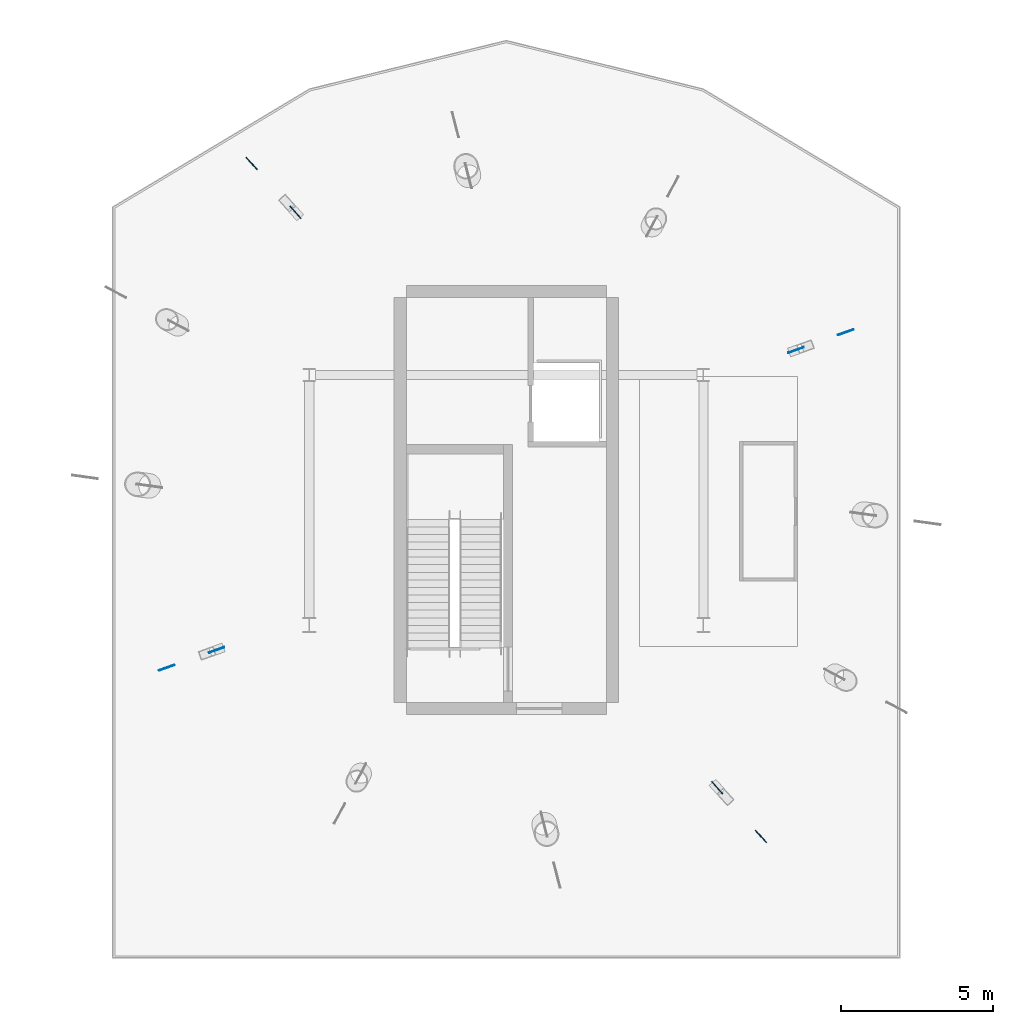
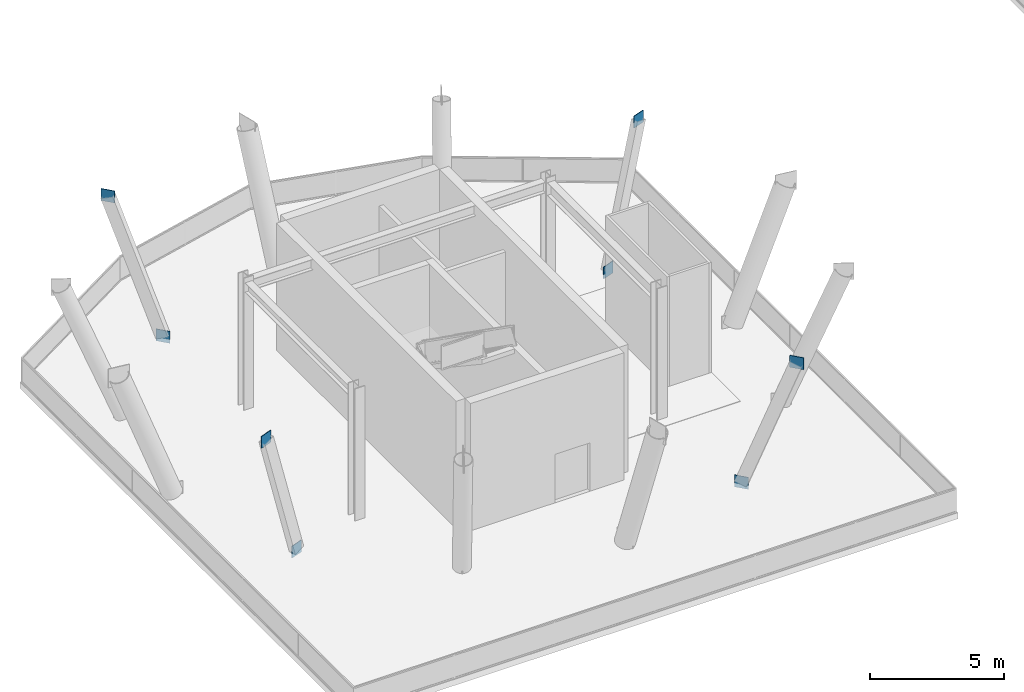
# One storey, part 35 of 73: 8 plates.
"""IFC4 building model written with IfcOpenShell, lengths in metres."""

import ifcopenshell
import ifcopenshell.guid

model = None  # the IFC model being written
_history = None  # IfcOwnerHistory: only IFC2X3 demands one
_inside = {}  # id of a spatial element -> (the spatial element, [elements in it])
_under = {}  # id of a project, library or spatial element -> (it, [spatial elements below it])
_declared = {}  # id of a project -> (the project, [libraries it declares])
_typed = {}  # id of a type object -> (the type object, [elements of that type])
_made_of = {}  # id of a material, layer set ... -> (it, [elements and type objects made of it])


def new_model(schema):
    """Start an empty IFC model of exactly this schema.

    Asked for "IFC4X3", IfcOpenShell would pick the latest addendum, in which some entities
    have other attributes; the version numbers below select the first issue.
    IFC2X3 requires an IfcOwnerHistory on every rooted entity: one is made here for all.
    """
    global model, _history
    if schema == "IFC4X3":
        model = ifcopenshell.file(schema_version=(4, 3, 0, 0))
    else:
        model = ifcopenshell.file(schema=schema)
    _inside.clear()
    _under.clear()
    _declared.clear()
    _typed.clear()
    _made_of.clear()
    _history = None
    if model.schema == "IFC2X3":
        org = make("IfcOrganization", Name="unknown")
        user = make(
            "IfcPersonAndOrganization",
            ThePerson=make("IfcPerson", FamilyName="unknown"),
            TheOrganization=org,
        )
        app = make(
            "IfcApplication",
            ApplicationDeveloper=org,
            Version="unknown",
            ApplicationFullName="unknown",
            ApplicationIdentifier="unknown",
        )
        _history = make(
            "IfcOwnerHistory",
            OwningUser=user,
            OwningApplication=app,
            ChangeAction="ADDED",
            CreationDate=0,
        )
    return model


def make(cls, **values):
    """One entity of the class cls with the attributes given. An attribute that is None is left unset."""
    return model.create_entity(
        cls, **{name: value for name, value in values.items() if value is not None}
    )


def rooted(cls, **values):
    """An entity with a GlobalId (a new one), such as an element, a storey or a relation."""
    return make(cls, GlobalId=ifcopenshell.guid.new(), OwnerHistory=_history, **values)


def si_unit(unit_type, name, prefix=None):
    """IfcSIUnit, for example si_unit("LENGTHUNIT", "METRE", prefix="MILLI")."""
    return make("IfcSIUnit", UnitType=unit_type, Prefix=prefix, Name=name)


def assignment(units):
    """IfcUnitAssignment: the units of a project."""
    return None if units is None else make("IfcUnitAssignment", Units=units)


def point(xyz):
    """IfcCartesianPoint."""
    return None if xyz is None else make("IfcCartesianPoint", Coordinates=xyz)


def direction(xyz):
    """IfcDirection."""
    return None if xyz is None else make("IfcDirection", DirectionRatios=xyz)


def frame(location, z_axis=None, x_axis=None):
    """IfcAxis2Placement3D, a coordinate frame: its origin and axes. An axis left out is left unset."""
    return make(
        "IfcAxis2Placement3D",
        Location=point(location),
        Axis=direction(z_axis),
        RefDirection=direction(x_axis),
    )


def frame_2d(location, x_axis=None):
    """IfcAxis2Placement2D, a coordinate frame in the plane: its origin and x axis."""
    return make(
        "IfcAxis2Placement2D", Location=point(location), RefDirection=direction(x_axis)
    )


def origin():
    """The frame at (0, 0, 0) with its axes left unset."""
    return frame((0.0, 0.0, 0.0))


def origin_2d():
    """The frame at (0, 0) in the plane with its x axis left unset."""
    return frame_2d((0.0, 0.0))


def place(relative_to, where):
    """IfcLocalPlacement: puts the frame where relative to a parent placement (None: the world)."""
    return make(
        "IfcLocalPlacement", PlacementRelTo=relative_to, RelativePlacement=where
    )


def context(
    kind, dimensions, precision=None, world=None, true_north=None, identifier=None
):
    """IfcGeometricRepresentationContext, for example the 3D "Model" context."""
    return make(
        "IfcGeometricRepresentationContext",
        ContextIdentifier=identifier,
        ContextType=kind,
        CoordinateSpaceDimension=dimensions,
        Precision=precision,
        WorldCoordinateSystem=world,
        TrueNorth=true_north,
    )


def subcontext(parent, identifier, kind, view, scale=None):
    """IfcGeometricRepresentationSubContext, for example "Body" below "Model"."""
    return make(
        "IfcGeometricRepresentationSubContext",
        ContextIdentifier=identifier,
        ContextType=kind,
        ParentContext=parent,
        TargetScale=scale,
        TargetView=view,
    )


def project(units=None, contexts=None):
    """IfcProject with its units and contexts."""
    return rooted(
        "IfcProject",
        Name="project",
        RepresentationContexts=contexts,
        UnitsInContext=assignment(units),
    )


def spatial(cls, under=None, at=None, **own):
    """A site, building, storey or space (cls), placed at a placement, below another one or the project."""
    s = rooted(cls, ObjectPlacement=at, **own)
    if under is not None:
        _under.setdefault(under.id(), (under, []))[1].append(s)
    return s


def profile(cls, at=None, kind="AREA", **sizes):
    """A parametric profile (cls). Its sizes go by their IFC names, for example OverallWidth=200.0."""
    return make(cls, ProfileType=kind, Position=at, **sizes)


def rectangle(**sizes):
    """IfcRectangleProfileDef."""
    return profile("IfcRectangleProfileDef", **sizes)


def extrude(swept, where, along, depth):
    """IfcExtrudedAreaSolid: the profile swept, set in the frame where, extruded along a direction by depth."""
    return make(
        "IfcExtrudedAreaSolid",
        SweptArea=swept,
        Position=where,
        ExtrudedDirection=direction(along),
        Depth=depth,
    )


def shape(context_of_items, identifier, shape_type, items):
    """IfcShapeRepresentation: the items that make up one representation, for example the "Body"."""
    return make(
        "IfcShapeRepresentation",
        ContextOfItems=context_of_items,
        RepresentationIdentifier=identifier,
        RepresentationType=shape_type,
        Items=items,
    )


def material(Name=None, Category=None):
    """IfcMaterial."""
    return make("IfcMaterial", Name=Name, Category=Category)


def layer(
    of_material, thickness, ventilated=None, Name=None, Category=None, Priority=None
):
    """IfcMaterialLayer: one layer of a wall or slab, of a material (None: an air gap)."""
    return make(
        "IfcMaterialLayer",
        Material=of_material,
        LayerThickness=thickness,
        IsVentilated=ventilated,
        Name=Name,
        Category=Category,
        Priority=Priority,
    )


def layer_set(layers, Name=None):
    """IfcMaterialLayerSet."""
    return make("IfcMaterialLayerSet", MaterialLayers=layers, LayerSetName=Name)


def made_of(thing, what):
    """Note that an element or type object is made of a material, layer set ...; save() writes the relation."""
    if what is not None:
        _made_of.setdefault(what.id(), (what, []))[1].append(thing)
    return thing


def type_object(cls, material=None, **own):
    """A type object (cls), such as IfcWallType, which elements share."""
    return made_of(rooted(cls, **own), material)


def element(
    cls,
    number,
    at=None,
    inside=None,
    cuts=None,
    type_object=None,
    material=None,
    context=None,
    identifier="Body",
    shape_type=None,
    held_by="IfcProductDefinitionShape",
    body=None,
    shapes=None,
    **own,
):
    """One element of the class cls, such as IfcWall. Its Tag is "e" and its number.

    at: its placement. inside: the storey or other place that contains it. cuts: it is an
    opening in that element (IfcRelVoidsElement). A single representation is given by context,
    identifier, shape_type and body (its items); several are given by shapes. held_by: the class
    of the entity that holds the representations. save() writes the other relations.
    """
    e = rooted(cls, Tag="e%d" % number, ObjectPlacement=at, **own)
    if body is not None:
        shapes = [shape(context, identifier, shape_type, body)]
    if shapes is not None:
        e.Representation = make(held_by, Representations=shapes)
    if inside is not None:
        _inside.setdefault(inside.id(), (inside, []))[1].append(e)
    if cuts is not None:
        rooted(
            "IfcRelVoidsElement", RelatingBuildingElement=cuts, RelatedOpeningElement=e
        )
    if type_object is not None:
        _typed.setdefault(type_object.id(), (type_object, []))[1].append(e)
    return made_of(e, material)


def aggregate(whole, parts):
    """IfcRelAggregates: a whole, such as a stair, and the parts it consists of."""
    return rooted("IfcRelAggregates", RelatingObject=whole, RelatedObjects=parts)


def save(model, path):
    """Write the relations noted so far, then the file.

    IfcRelAggregates (storeys below a building ...), IfcRelContainedInSpatialStructure (elements
    in a storey), IfcRelDefinesByType, IfcRelAssociatesMaterial and IfcRelDeclares: one each for
    every whole, place, type object, material and project.
    """
    for whole, parts in _under.values():
        aggregate(whole, parts)
    for where, things in _inside.values():
        rooted(
            "IfcRelContainedInSpatialStructure",
            RelatedElements=things,
            RelatingStructure=where,
        )
    for kind, things in _typed.values():
        rooted("IfcRelDefinesByType", RelatedObjects=things, RelatingType=kind)
    for what, things in _made_of.values():
        rooted("IfcRelAssociatesMaterial", RelatedObjects=things, RelatingMaterial=what)
    for by, libraries in _declared.values():
        rooted("IfcRelDeclares", RelatingContext=by, RelatedDefinitions=libraries)
    model.write(path)


model = new_model("IFC4")

# Units and contexts
model_context = context("Model", 3, precision=1e-05, world=origin(), true_north=direction((0.0, 1.0)))
body_context = subcontext(model_context, "Body", "Model", "MODEL_VIEW")
ifc_project = project(units=[si_unit("LENGTHUNIT", "METRE"), si_unit("AREAUNIT", "SQUARE_METRE"), si_unit("VOLUMEUNIT", "CUBIC_METRE"), si_unit("PLANEANGLEUNIT", "RADIAN"), si_unit("MASSUNIT", "GRAM", prefix="KILO")], contexts=[model_context])

# Site, building, storey
site_placement = place(None, origin())
site = spatial("IfcSite", under=ifc_project, at=site_placement, CompositionType="ELEMENT")
building_placement = place(site_placement, origin())
building = spatial("IfcBuilding", under=site, at=building_placement, Name="Linyun Crest Stadium", CompositionType="ELEMENT")
storey_placement = place(building_placement, origin())
storey = spatial("IfcBuildingStorey", under=building, at=storey_placement, Name="L01", CompositionType="ELEMENT", Elevation=0.0)

# Plates
ifc_material = material(Name="Steel Q420C", Category="steel")
ifc_layer = layer(ifc_material, 0.028076171875)
ifc_layer_set = layer_set([ifc_layer], Name="Steel Q420C")
plate_type = type_object("IfcPlateType", Name="EP03", PredefinedType="USERDEFINED", material=ifc_layer_set)
for number, where, z_axis, x_axis, name in (
    (1, (-63.946044921875, 89.569091796875, -0.194091796875), (0.0, 0.0, 1.0), (0.941588155895, 0.336766602676, 0.0), "Hollow section cap end plate EP03 349"),
    (2, (-62.302001953125, 90.156982421875, 5.72802734375), (0.0, 0.0, 1.0), (0.941588155895, 0.336766602676, 0.0), "Hollow section cap end plate EP03 350"),
    (3, (-80.4560546875, 94.113037109375, -0.178955078125), (0.0, 0.0, 1.0), (-0.66744274333, 0.744661120495, 0.0), "Hollow section cap end plate EP03 364"),
    (4, (-81.89892578125, 95.722900390625, 5.72802734375), (0.0, 0.0, 1.0), (-0.66744274333, 0.744661120495, 0.0), "Hollow section cap end plate EP03 365"),
    (5, (-83.053955078125, 79.680908203125, -0.194091796875), (0.0, 0.0, 1.0), (-0.941588155895, -0.336766602676, 0.0), "Hollow section cap end plate EP03 379"),
    (6, (-84.697998046875, 79.093017578125, 5.72802734375), (0.0, 0.0, 1.0), (-0.941588155895, -0.336766602676, 0.0), "Hollow section cap end plate EP03 380"),
    (7, (-66.5439453125, 75.136962890625, -0.178955078125), (0.0, 0.0, 1.0), (0.66744274333, -0.744661120495, 0.0), "Hollow section cap end plate EP03 394"),
    (8, (-65.10107421875, 73.527099609375, 5.72802734375), (0.0, 0.0, 1.0), (0.66744274333, -0.744661120495, 0.0), "Hollow section cap end plate EP03 395"),
):
    element("IfcPlate", number, at=place(storey_placement, frame(where, z_axis=z_axis, x_axis=x_axis)), inside=storey, type_object=plate_type, Name=name, ObjectType="END PLATE", PredefinedType="USERDEFINED", context=body_context, shape_type="SweptSolid", body=[
        extrude(rectangle(XDim=0.5400390625, YDim=0.028076171875, at=origin_2d()), origin(), (0.0, 0.0, 1.0), 0.5400390625),
    ])

save(model, "model.ifc")
